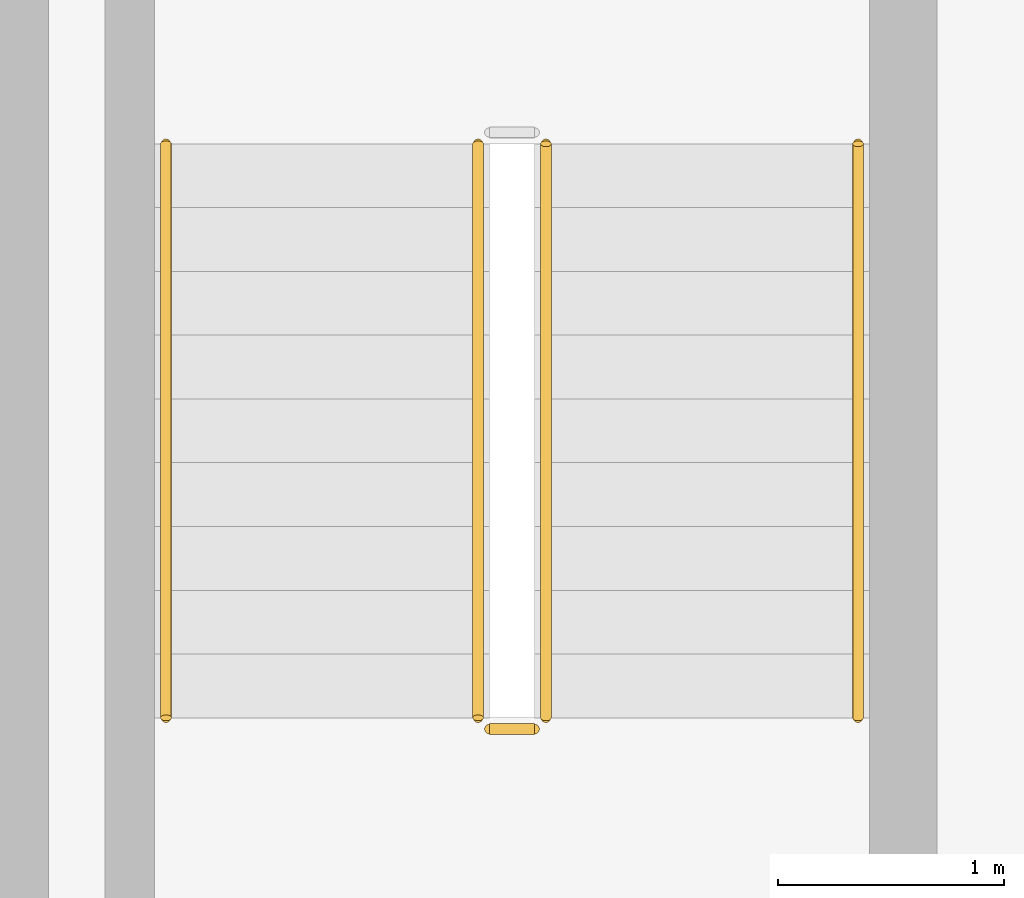
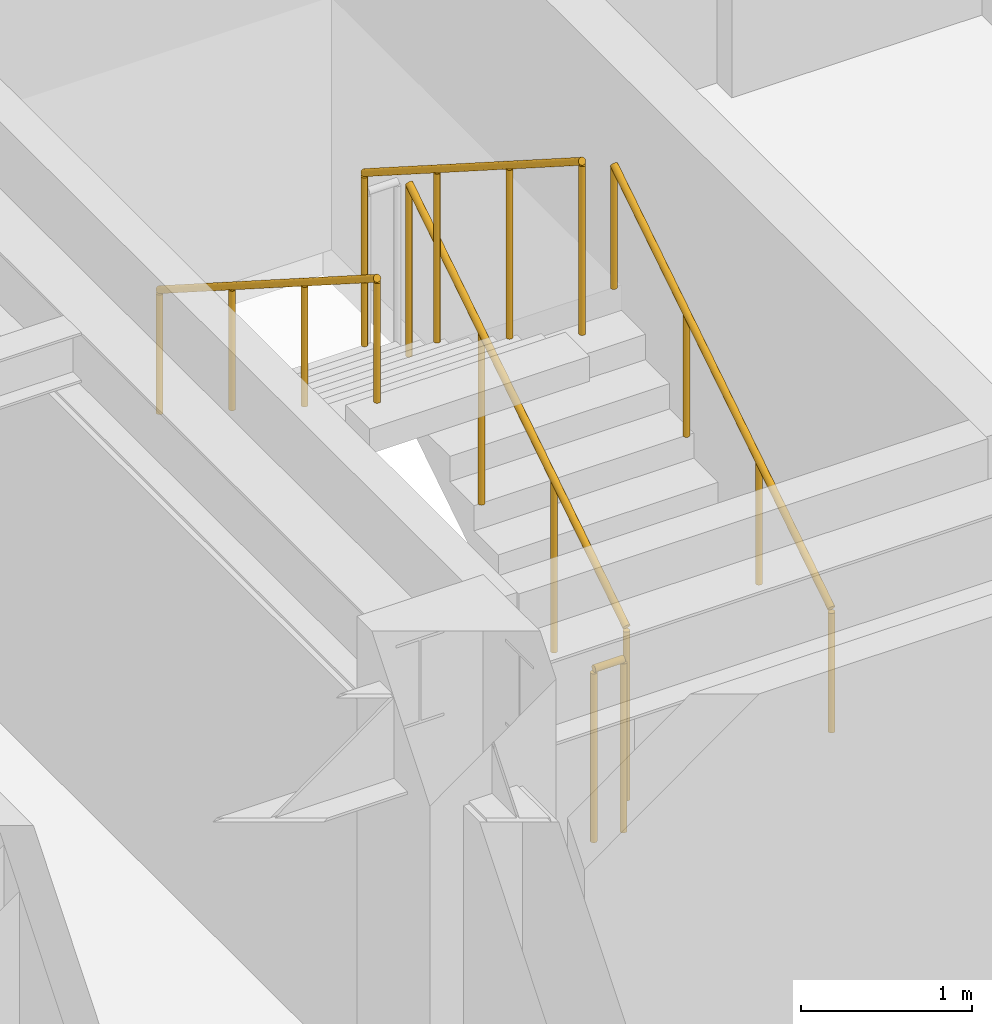
# One storey, part 9 of 11: 5 railings.
"""IFC4 building model written with IfcOpenShell, lengths in metres."""

from ifc_helpers import new_model, si_unit, direction, frame, origin, origin_2d, place, context, subcontext, project, spatial, circle, extrude, material, type_object, element, save


model = new_model("IFC4")

# Units and contexts
model_context = context("Model", 3, precision=1e-05, world=origin(), true_north=direction((0.0, 1.0)))
body_context = subcontext(model_context, "Body", "Model", "MODEL_VIEW")
ifc_project = project(units=[si_unit("LENGTHUNIT", "METRE"), si_unit("AREAUNIT", "SQUARE_METRE"), si_unit("VOLUMEUNIT", "CUBIC_METRE"), si_unit("PLANEANGLEUNIT", "RADIAN"), si_unit("MASSUNIT", "GRAM", prefix="KILO")], contexts=[model_context])

# Site, building, storey
site_placement = place(None, origin())
site = spatial("IfcSite", under=ifc_project, at=site_placement, CompositionType="ELEMENT")
building_placement = place(site_placement, origin())
building = spatial("IfcBuilding", under=site, at=building_placement, Name="Ochreholt Gables", CompositionType="ELEMENT")
storey_placement = place(building_placement, frame((0.0, 0.0, 132.0)))
storey = spatial("IfcBuildingStorey", under=building, at=storey_placement, Name="L34", CompositionType="ELEMENT", Elevation=132.0)

# Railings
ifc_material_1 = material(Name="Painted Steel Stair Guardrail", Category="steel")
railing_type_1 = type_object("IfcRailingType", Name="RL-ST-GUARD", PredefinedType="GUARDRAIL", material=ifc_material_1)
railing_1_placement = place(storey_placement, frame((26.64990234375, 32.4599609375, 0.179931640625)))
element("IfcRailing", 1, at=railing_1_placement, inside=storey, type_object=railing_type_1, Name="L34 ST-2 stair guard 1", PredefinedType="GUARDRAIL", context=body_context, shape_type="SweptSolid", body=[
    extrude(circle(Radius=0.02392578125, at=origin_2d()), frame((0.0, 0.0, 1.22607421875), z_axis=(0.0, 0.842912820907, 0.538050161556), x_axis=(-1.0, 0.0, 0.0)), (0.0, 0.0, 1.0), 3.010986328125),
    extrude(circle(Radius=0.02099609375, at=origin_2d()), origin(), (0.0, 0.0, 1.0), 1.201904296875),
    extrude(circle(Radius=0.02099609375, at=origin_2d()), frame((0.0, 0.845947265625, 0.5400390625)), (0.0, 0.0, 1.0), 1.201904296875),
    extrude(circle(Radius=0.02099609375, at=origin_2d()), frame((0.0, 1.692138671875, 1.080078125)), (0.0, 0.0, 1.0), 1.201904296875),
    extrude(circle(Radius=0.02099609375, at=origin_2d()), frame((0.0, 2.5380859375, 1.6201171875)), (0.0, 0.0, 1.0), 1.201904296875),
])
railing_2_placement = place(storey_placement, frame((26.35009765625, 34.998046875, 1.97998046875)))
element("IfcRailing", 2, at=railing_2_placement, inside=storey, type_object=railing_type_1, Name="L34 ST-2 stair guard 3", PredefinedType="GUARDRAIL", context=body_context, shape_type="SweptSolid", body=[
    extrude(circle(Radius=0.02392578125, at=origin_2d()), frame((0.0, 0.0, 1.22607421875), z_axis=(0.0, -0.842912820907, 0.538050161556), x_axis=(1.0, 0.0, 0.0)), (0.0, 0.0, 1.0), 3.010986328125),
    extrude(circle(Radius=0.02099609375, at=origin_2d()), origin(), (0.0, 0.0, 1.0), 1.201904296875),
    extrude(circle(Radius=0.02099609375, at=origin_2d()), frame((0.0, -0.845947265625, 0.5400390625)), (0.0, 0.0, 1.0), 1.201904296875),
    extrude(circle(Radius=0.02099609375, at=origin_2d()), frame((0.0, -1.692138671875, 1.080078125)), (0.0, 0.0, 1.0), 1.201904296875),
    extrude(circle(Radius=0.02099609375, at=origin_2d()), frame((0.0, -2.5380859375, 1.6201171875)), (0.0, 0.0, 1.0), 1.201904296875),
])
railing_3_placement = place(storey_placement, frame((26.60009765625, 32.409912109375, 0.0)))
element("IfcRailing", 3, at=railing_3_placement, inside=storey, type_object=railing_type_1, Name="L34 ST-2 stair guard 4", PredefinedType="GUARDRAIL", context=body_context, shape_type="SweptSolid", body=[
    extrude(circle(Radius=0.02392578125, at=origin_2d()), frame((0.0, 0.0, 1.22607421875), z_axis=(-1.0, 0.0, 0.0), x_axis=(0.0, -1.0, 0.0)), (0.0, 0.0, 1.0), 0.2001953125),
    extrude(circle(Radius=0.02099609375, at=origin_2d()), origin(), (0.0, 0.0, 1.0), 1.201904296875),
    extrude(circle(Radius=0.02099609375, at=origin_2d()), frame((-0.2001953125, 0.0, 0.0)), (0.0, 0.0, 1.0), 1.201904296875),
])
ifc_material_2 = material(Name="Brushed Stainless Steel Wall Handrail", Category="steel")
railing_type_2 = type_object("IfcRailingType", Name="RL-ST-HAND", PredefinedType="HANDRAIL", material=ifc_material_2)
railing_4_placement = place(storey_placement, frame((28.030029296875, 32.4599609375, 0.179931640625)))
element("IfcRailing", 4, at=railing_4_placement, inside=storey, type_object=railing_type_2, Name="L34 ST-2 stair handrail 1", PredefinedType="HANDRAIL", context=body_context, shape_type="SweptSolid", body=[
    extrude(circle(Radius=0.02392578125, at=origin_2d()), frame((0.0, 0.0, 0.8759765625), z_axis=(0.0, 0.842912820907, 0.538050161556), x_axis=(-1.0, 0.0, 0.0)), (0.0, 0.0, 1.0), 3.010986328125),
    extrude(circle(Radius=0.02099609375, at=origin_2d()), origin(), (0.0, 0.0, 1.0), 0.851806640625),
    extrude(circle(Radius=0.02099609375, at=origin_2d()), frame((0.0, 0.845947265625, 0.5400390625)), (0.0, 0.0, 1.0), 0.851806640625),
    extrude(circle(Radius=0.02099609375, at=origin_2d()), frame((0.0, 1.692138671875, 1.080078125)), (0.0, 0.0, 1.0), 0.851806640625),
    extrude(circle(Radius=0.02099609375, at=origin_2d()), frame((0.0, 2.5380859375, 1.6201171875)), (0.0, 0.0, 1.0), 0.851806640625),
])
railing_5_placement = place(storey_placement, frame((24.969970703125, 34.998046875, 1.97998046875)))
element("IfcRailing", 5, at=railing_5_placement, inside=storey, type_object=railing_type_2, Name="L34 ST-2 stair handrail 2", PredefinedType="HANDRAIL", context=body_context, shape_type="SweptSolid", body=[
    extrude(circle(Radius=0.02392578125, at=origin_2d()), frame((0.0, 0.0, 0.8759765625), z_axis=(0.0, -0.842912820907, 0.538050161556), x_axis=(1.0, 0.0, 0.0)), (0.0, 0.0, 1.0), 3.010986328125),
    extrude(circle(Radius=0.02099609375, at=origin_2d()), origin(), (0.0, 0.0, 1.0), 0.851806640625),
    extrude(circle(Radius=0.02099609375, at=origin_2d()), frame((0.0, -0.845947265625, 0.5400390625)), (0.0, 0.0, 1.0), 0.851806640625),
    extrude(circle(Radius=0.02099609375, at=origin_2d()), frame((0.0, -1.692138671875, 1.080078125)), (0.0, 0.0, 1.0), 0.851806640625),
    extrude(circle(Radius=0.02099609375, at=origin_2d()), frame((0.0, -2.5380859375, 1.6201171875)), (0.0, 0.0, 1.0), 0.851806640625),
])

save(model, "model.ifc")
